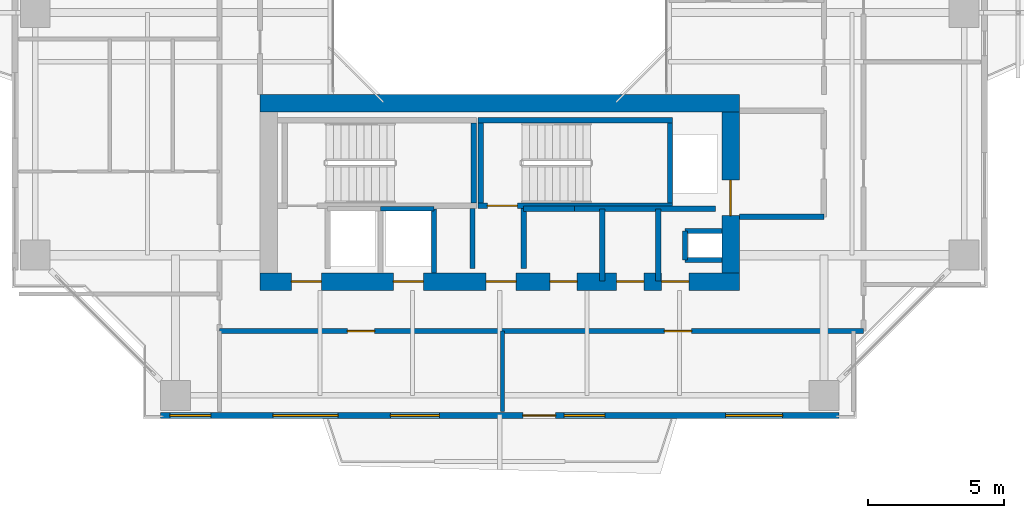
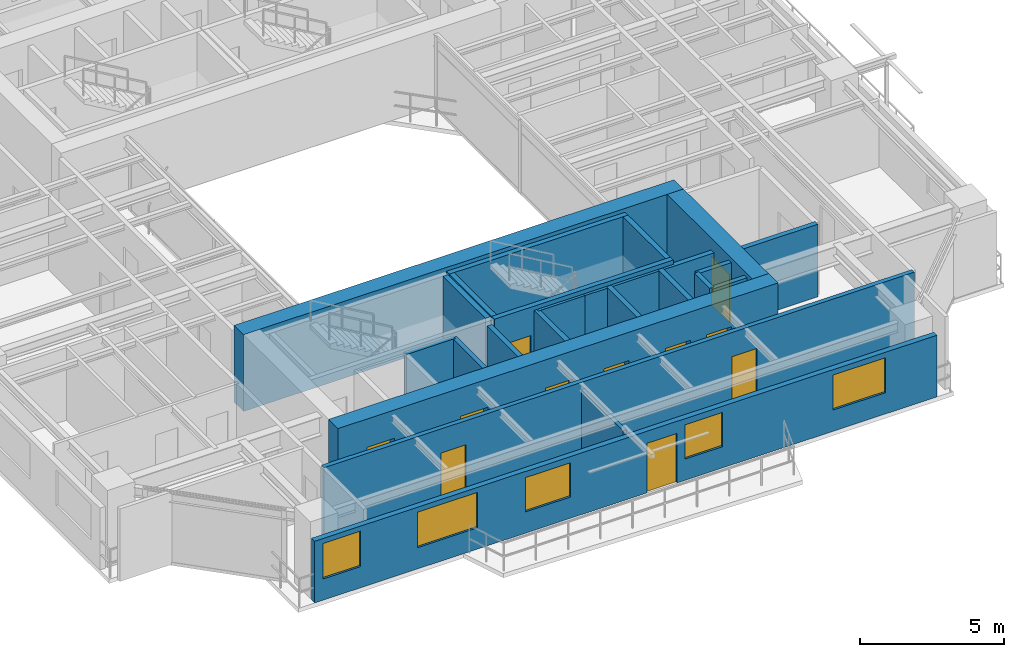
# One storey, part 10 of 17: 23 walls, 11 doors, 5 windows, 16 openings.
"""IFC4 building model written with IfcOpenShell, lengths in metres."""

import ifcopenshell
import ifcopenshell.guid

model = None  # the IFC model being written
_history = None  # IfcOwnerHistory: only IFC2X3 demands one
_inside = {}  # id of a spatial element -> (the spatial element, [elements in it])
_under = {}  # id of a project, library or spatial element -> (it, [spatial elements below it])
_declared = {}  # id of a project -> (the project, [libraries it declares])
_typed = {}  # id of a type object -> (the type object, [elements of that type])
_made_of = {}  # id of a material, layer set ... -> (it, [elements and type objects made of it])


def new_model(schema):
    """Start an empty IFC model of exactly this schema.

    Asked for "IFC4X3", IfcOpenShell would pick the latest addendum, in which some entities
    have other attributes; the version numbers below select the first issue.
    IFC2X3 requires an IfcOwnerHistory on every rooted entity: one is made here for all.
    """
    global model, _history
    if schema == "IFC4X3":
        model = ifcopenshell.file(schema_version=(4, 3, 0, 0))
    else:
        model = ifcopenshell.file(schema=schema)
    _inside.clear()
    _under.clear()
    _declared.clear()
    _typed.clear()
    _made_of.clear()
    _history = None
    if model.schema == "IFC2X3":
        org = make("IfcOrganization", Name="unknown")
        user = make(
            "IfcPersonAndOrganization",
            ThePerson=make("IfcPerson", FamilyName="unknown"),
            TheOrganization=org,
        )
        app = make(
            "IfcApplication",
            ApplicationDeveloper=org,
            Version="unknown",
            ApplicationFullName="unknown",
            ApplicationIdentifier="unknown",
        )
        _history = make(
            "IfcOwnerHistory",
            OwningUser=user,
            OwningApplication=app,
            ChangeAction="ADDED",
            CreationDate=0,
        )
    return model


def make(cls, **values):
    """One entity of the class cls with the attributes given. An attribute that is None is left unset."""
    return model.create_entity(
        cls, **{name: value for name, value in values.items() if value is not None}
    )


def rooted(cls, **values):
    """An entity with a GlobalId (a new one), such as an element, a storey or a relation."""
    return make(cls, GlobalId=ifcopenshell.guid.new(), OwnerHistory=_history, **values)


def si_unit(unit_type, name, prefix=None):
    """IfcSIUnit, for example si_unit("LENGTHUNIT", "METRE", prefix="MILLI")."""
    return make("IfcSIUnit", UnitType=unit_type, Prefix=prefix, Name=name)


def assignment(units):
    """IfcUnitAssignment: the units of a project."""
    return None if units is None else make("IfcUnitAssignment", Units=units)


def point(xyz):
    """IfcCartesianPoint."""
    return None if xyz is None else make("IfcCartesianPoint", Coordinates=xyz)


def direction(xyz):
    """IfcDirection."""
    return None if xyz is None else make("IfcDirection", DirectionRatios=xyz)


def frame(location, z_axis=None, x_axis=None):
    """IfcAxis2Placement3D, a coordinate frame: its origin and axes. An axis left out is left unset."""
    return make(
        "IfcAxis2Placement3D",
        Location=point(location),
        Axis=direction(z_axis),
        RefDirection=direction(x_axis),
    )


def frame_2d(location, x_axis=None):
    """IfcAxis2Placement2D, a coordinate frame in the plane: its origin and x axis."""
    return make(
        "IfcAxis2Placement2D", Location=point(location), RefDirection=direction(x_axis)
    )


def origin():
    """The frame at (0, 0, 0) with its axes left unset."""
    return frame((0.0, 0.0, 0.0))


def place(relative_to, where):
    """IfcLocalPlacement: puts the frame where relative to a parent placement (None: the world)."""
    return make(
        "IfcLocalPlacement", PlacementRelTo=relative_to, RelativePlacement=where
    )


def context(
    kind, dimensions, precision=None, world=None, true_north=None, identifier=None
):
    """IfcGeometricRepresentationContext, for example the 3D "Model" context."""
    return make(
        "IfcGeometricRepresentationContext",
        ContextIdentifier=identifier,
        ContextType=kind,
        CoordinateSpaceDimension=dimensions,
        Precision=precision,
        WorldCoordinateSystem=world,
        TrueNorth=true_north,
    )


def subcontext(parent, identifier, kind, view, scale=None):
    """IfcGeometricRepresentationSubContext, for example "Body" below "Model"."""
    return make(
        "IfcGeometricRepresentationSubContext",
        ContextIdentifier=identifier,
        ContextType=kind,
        ParentContext=parent,
        TargetScale=scale,
        TargetView=view,
    )


def project(units=None, contexts=None):
    """IfcProject with its units and contexts."""
    return rooted(
        "IfcProject",
        Name="project",
        RepresentationContexts=contexts,
        UnitsInContext=assignment(units),
    )


def spatial(cls, under=None, at=None, **own):
    """A site, building, storey or space (cls), placed at a placement, below another one or the project."""
    s = rooted(cls, ObjectPlacement=at, **own)
    if under is not None:
        _under.setdefault(under.id(), (under, []))[1].append(s)
    return s


def profile(cls, at=None, kind="AREA", **sizes):
    """A parametric profile (cls). Its sizes go by their IFC names, for example OverallWidth=200.0."""
    return make(cls, ProfileType=kind, Position=at, **sizes)


def rectangle(**sizes):
    """IfcRectangleProfileDef."""
    return profile("IfcRectangleProfileDef", **sizes)


def extrude(swept, where, along, depth):
    """IfcExtrudedAreaSolid: the profile swept, set in the frame where, extruded along a direction by depth."""
    return make(
        "IfcExtrudedAreaSolid",
        SweptArea=swept,
        Position=where,
        ExtrudedDirection=direction(along),
        Depth=depth,
    )


def shape(context_of_items, identifier, shape_type, items):
    """IfcShapeRepresentation: the items that make up one representation, for example the "Body"."""
    return make(
        "IfcShapeRepresentation",
        ContextOfItems=context_of_items,
        RepresentationIdentifier=identifier,
        RepresentationType=shape_type,
        Items=items,
    )


def source(mapping_origin, context_of_items, identifier, shape_type, items):
    """IfcRepresentationMap: a shape defined once, which mapped items show again and again."""
    return make(
        "IfcRepresentationMap",
        MappingOrigin=mapping_origin,
        MappedRepresentation=shape(context_of_items, identifier, shape_type, items),
    )


def transform(
    local_origin,
    x_axis=None,
    y_axis=None,
    z_axis=None,
    scale=None,
    scale2=None,
    scale3=None,
    uniform=True,
):
    """IfcCartesianTransformationOperator3D, or its non-uniform kind. x_axis, y_axis, z_axis: its Axis1, 2, 3."""
    if uniform:
        return make(
            "IfcCartesianTransformationOperator3D",
            Axis1=direction(x_axis),
            Axis2=direction(y_axis),
            LocalOrigin=point(local_origin),
            Scale=scale,
            Axis3=direction(z_axis),
        )
    return make(
        "IfcCartesianTransformationOperator3DnonUniform",
        Axis1=direction(x_axis),
        Axis2=direction(y_axis),
        LocalOrigin=point(local_origin),
        Scale=scale,
        Axis3=direction(z_axis),
        Scale2=scale2,
        Scale3=scale3,
    )


def mapped(mapping_source, mapping_target):
    """IfcMappedItem: shows the shape of a source again, moved by a transform."""
    return make(
        "IfcMappedItem", MappingSource=mapping_source, MappingTarget=mapping_target
    )


def material(Name=None, Category=None):
    """IfcMaterial."""
    return make("IfcMaterial", Name=Name, Category=Category)


def layer(
    of_material, thickness, ventilated=None, Name=None, Category=None, Priority=None
):
    """IfcMaterialLayer: one layer of a wall or slab, of a material (None: an air gap)."""
    return make(
        "IfcMaterialLayer",
        Material=of_material,
        LayerThickness=thickness,
        IsVentilated=ventilated,
        Name=Name,
        Category=Category,
        Priority=Priority,
    )


def layer_set(layers, Name=None):
    """IfcMaterialLayerSet."""
    return make("IfcMaterialLayerSet", MaterialLayers=layers, LayerSetName=Name)


def made_of(thing, what):
    """Note that an element or type object is made of a material, layer set ...; save() writes the relation."""
    if what is not None:
        _made_of.setdefault(what.id(), (what, []))[1].append(thing)
    return thing


def type_object(cls, material=None, **own):
    """A type object (cls), such as IfcWallType, which elements share."""
    return made_of(rooted(cls, **own), material)


def element(
    cls,
    number,
    at=None,
    inside=None,
    cuts=None,
    type_object=None,
    material=None,
    context=None,
    identifier="Body",
    shape_type=None,
    held_by="IfcProductDefinitionShape",
    body=None,
    shapes=None,
    **own,
):
    """One element of the class cls, such as IfcWall. Its Tag is "e" and its number.

    at: its placement. inside: the storey or other place that contains it. cuts: it is an
    opening in that element (IfcRelVoidsElement). A single representation is given by context,
    identifier, shape_type and body (its items); several are given by shapes. held_by: the class
    of the entity that holds the representations. save() writes the other relations.
    """
    e = rooted(cls, Tag="e%d" % number, ObjectPlacement=at, **own)
    if body is not None:
        shapes = [shape(context, identifier, shape_type, body)]
    if shapes is not None:
        e.Representation = make(held_by, Representations=shapes)
    if inside is not None:
        _inside.setdefault(inside.id(), (inside, []))[1].append(e)
    if cuts is not None:
        rooted(
            "IfcRelVoidsElement", RelatingBuildingElement=cuts, RelatedOpeningElement=e
        )
    if type_object is not None:
        _typed.setdefault(type_object.id(), (type_object, []))[1].append(e)
    return made_of(e, material)


def fill(opening, filler):
    """IfcRelFillsElement: the door or window that sits in an opening."""
    return rooted(
        "IfcRelFillsElement",
        RelatingOpeningElement=opening,
        RelatedBuildingElement=filler,
    )


def aggregate(whole, parts):
    """IfcRelAggregates: a whole, such as a stair, and the parts it consists of."""
    return rooted("IfcRelAggregates", RelatingObject=whole, RelatedObjects=parts)


def save(model, path):
    """Write the relations noted so far, then the file.

    IfcRelAggregates (storeys below a building ...), IfcRelContainedInSpatialStructure (elements
    in a storey), IfcRelDefinesByType, IfcRelAssociatesMaterial and IfcRelDeclares: one each for
    every whole, place, type object, material and project.
    """
    for whole, parts in _under.values():
        aggregate(whole, parts)
    for where, things in _inside.values():
        rooted(
            "IfcRelContainedInSpatialStructure",
            RelatedElements=things,
            RelatingStructure=where,
        )
    for kind, things in _typed.values():
        rooted("IfcRelDefinesByType", RelatedObjects=things, RelatingType=kind)
    for what, things in _made_of.values():
        rooted("IfcRelAssociatesMaterial", RelatedObjects=things, RelatingMaterial=what)
    for by, libraries in _declared.values():
        rooted("IfcRelDeclares", RelatingContext=by, RelatedDefinitions=libraries)
    model.write(path)


model = new_model("IFC4")

# Units and contexts
model_context = context("Model", 3, precision=1e-05, world=origin(), true_north=direction((0.0, 1.0)))
body_context = subcontext(model_context, "Body", "Model", "MODEL_VIEW")
ifc_project = project(units=[si_unit("LENGTHUNIT", "METRE"), si_unit("AREAUNIT", "SQUARE_METRE"), si_unit("VOLUMEUNIT", "CUBIC_METRE"), si_unit("PLANEANGLEUNIT", "RADIAN"), si_unit("MASSUNIT", "GRAM", prefix="KILO"), si_unit("THERMODYNAMICTEMPERATUREUNIT", "KELVIN"), si_unit("POWERUNIT", "WATT")], contexts=[model_context])

# Site, building, storey
site_placement = place(None, origin())
site = spatial("IfcSite", under=ifc_project, at=site_placement, CompositionType="ELEMENT")
building_placement = place(site_placement, origin())
building = spatial("IfcBuilding", under=site, at=building_placement, Name="Qiaomeng Ring Towers", CompositionType="ELEMENT")
storey_placement = place(building_placement, frame((0.0, 0.0, 129.5)))
storey = spatial("IfcBuildingStorey", under=building, at=storey_placement, Name="L37", CompositionType="ELEMENT", Elevation=129.5)

# Wall, openings, windows, door
ifc_material_1 = material(Name="Precast concrete C40", Category="concrete")
ifc_layer_1 = layer(ifc_material_1, 0.219970703125, Name="Precast concrete C40")
ifc_layer_set_1 = layer_set([ifc_layer_1], Name="Precast concrete C40")
wall_type_1 = type_object("IfcWallType", Name="ARC-WL-EW2", PredefinedType="STANDARD", material=ifc_layer_set_1)
wall_1_placement = place(storey_placement, frame((6.550048828125, 5.2099609375, 0.0), z_axis=(0.0, 0.0, 1.0), x_axis=(1.0, 0.0, 0.0)))
wall_1 = element("IfcWall", 1, at=wall_1_placement, inside=storey, type_object=wall_type_1, Name="L37 Tower 1 S Exterior Wall", PredefinedType="STANDARD", context=body_context, shape_type="SweptSolid", body=[
    extrude(rectangle(XDim=24.89990234375, YDim=0.219970703125, at=frame_2d((12.449951171875, 0.0))), origin(), (0.0, 0.0, 1.0), 2.610107421875),
])
opening_1_placement = place(wall_1_placement, frame((13.300048828125, 0.0, 0.0)))
opening_1 = element("IfcOpeningElement", 2, at=opening_1_placement, cuts=wall_1, Name="Opening BD1", PredefinedType="OPENING", context=body_context, shape_type="SweptSolid", body=[
    extrude(rectangle(XDim=1.199951171875, YDim=2.10009765625, at=frame_2d((0.60009765625, 1.050048828125))), frame((0.0, 0.119873046875, 0.0), z_axis=(0.0, -1.0, 0.0), x_axis=(1.0, 0.0, 0.0)), (0.0, 0.0, 1.0), 0.239990234375),
])
opening_2_placement = place(wall_1_placement, frame((0.342529296875, 0.0, 0.89990234375)))
opening_2 = element("IfcOpeningElement", 3, at=opening_2_placement, cuts=wall_1, Name="Opening WN2", PredefinedType="OPENING", context=body_context, shape_type="SweptSolid", body=[
    extrude(rectangle(XDim=1.5, YDim=1.5, at=frame_2d((0.75, 0.75))), frame((0.0, 0.119873046875, 0.0), z_axis=(0.0, -1.0, 0.0), x_axis=(1.0, 0.0, 0.0)), (0.0, 0.0, 1.0), 0.239990234375),
])
opening_3_placement = place(wall_1_placement, frame((8.43798828125, 0.0, 0.89990234375)))
opening_3 = element("IfcOpeningElement", 4, at=opening_3_placement, cuts=wall_1, Name="Opening WN1", PredefinedType="OPENING", context=body_context, shape_type="SweptSolid", body=[
    extrude(rectangle(XDim=1.800048828125, YDim=1.449951171875, at=frame_2d((0.89990234375, 0.72509765625))), frame((0.0, 0.119873046875, 0.0), z_axis=(0.0, -1.0, 0.0), x_axis=(1.0, 0.0, 0.0)), (0.0, 0.0, 1.0), 0.239990234375),
])
opening_4_placement = place(wall_1_placement, frame((14.81298828125, 0.0, 0.89990234375)))
opening_4 = element("IfcOpeningElement", 5, at=opening_4_placement, cuts=wall_1, Name="Opening WN2", PredefinedType="OPENING", context=body_context, shape_type="SweptSolid", body=[
    extrude(rectangle(XDim=1.5, YDim=1.449951171875, at=frame_2d((0.75, 0.72509765625))), frame((0.0, 0.119873046875, 0.0), z_axis=(0.0, -1.0, 0.0), x_axis=(1.0, 0.0, 0.0)), (0.0, 0.0, 1.0), 0.239990234375),
])
opening_5_placement = place(wall_1_placement, frame((20.738037109375, 0.0, 0.89990234375)))
opening_5 = element("IfcOpeningElement", 6, at=opening_5_placement, cuts=wall_1, Name="Opening WN4", PredefinedType="OPENING", context=body_context, shape_type="SweptSolid", body=[
    extrude(rectangle(XDim=2.10009765625, YDim=1.47998046875, at=frame_2d((1.050048828125, 0.739990234375))), frame((0.0, 0.119873046875, 0.0), z_axis=(0.0, -1.0, 0.0), x_axis=(1.0, 0.0, 0.0)), (0.0, 0.0, 1.0), 0.239990234375),
])
opening_6_placement = place(wall_1_placement, frame((4.12158203125, 0.0, 0.89990234375)))
opening_6 = element("IfcOpeningElement", 7, at=opening_6_placement, cuts=wall_1, Name="Opening WN6", PredefinedType="OPENING", context=body_context, shape_type="SweptSolid", body=[
    extrude(rectangle(XDim=2.39990234375, YDim=1.5, at=frame_2d((1.199951171875, 0.75))), frame((0.0, 0.119873046875, 0.0), z_axis=(0.0, -1.0, 0.0), x_axis=(1.0, 0.0, 0.0)), (0.0, 0.0, 1.0), 0.239990234375),
])
ifc_material_2 = material(Name="Low-E dark-grey laminated double glazing", Category="glass")
window_type_1 = type_object("IfcWindowType", Name="ARC-WN-2", PartitioningType="DOUBLE_PANEL_VERTICAL", PredefinedType="WINDOW", material=ifc_material_2)
shared_shape_1 = source(origin(), body_context, "Body", "SweptSolid", [
    extrude(rectangle(XDim=1.5, YDim=1.449951171875, at=frame_2d((0.75, 0.72509765625))), frame((0.0, 0.030029296875, 0.0), z_axis=(0.0, -1.0, 0.0), x_axis=(1.0, 0.0, 0.0)), (0.0, 0.0, 1.0), 0.06005859375),
])
window_1_placement = place(opening_4_placement, origin())
window_1 = element("IfcWindow", 8, at=window_1_placement, inside=storey, type_object=window_type_1, Name="L37 Exterior Window WN2", OverallHeight=1.449951171875, OverallWidth=1.5, PartitioningType="DOUBLE_PANEL_VERTICAL", PredefinedType="WINDOW", context=body_context, shape_type="MappedRepresentation", body=[
    mapped(shared_shape_1, transform((0.0, 0.0, 0.0), x_axis=(1.0, 0.0, 0.0), y_axis=(0.0, 1.0, 0.0), z_axis=(0.0, 0.0, 1.0), scale=1.0)),
])
fill(opening_4, window_1)
window_type_2 = type_object("IfcWindowType", Name="ARC-WN-4", PartitioningType="TRIPLE_PANEL_VERTICAL", PredefinedType="WINDOW", material=ifc_material_2)
shared_shape_2 = source(origin(), body_context, "Body", "SweptSolid", [
    extrude(rectangle(XDim=2.10009765625, YDim=1.47998046875, at=frame_2d((1.050048828125, 0.739990234375))), frame((0.0, 0.030029296875, 0.0), z_axis=(0.0, -1.0, 0.0), x_axis=(1.0, 0.0, 0.0)), (0.0, 0.0, 1.0), 0.06005859375),
])
window_2_placement = place(opening_5_placement, origin())
window_2 = element("IfcWindow", 9, at=window_2_placement, inside=storey, type_object=window_type_2, Name="L37 Exterior Window WN4", OverallHeight=1.47998046875, OverallWidth=2.10009765625, PartitioningType="TRIPLE_PANEL_VERTICAL", PredefinedType="WINDOW", context=body_context, shape_type="MappedRepresentation", body=[
    mapped(shared_shape_2, transform((0.0, 0.0, 0.0), x_axis=(1.0, 0.0, 0.0), y_axis=(0.0, 1.0, 0.0), z_axis=(0.0, 0.0, 1.0), scale=1.0)),
])
fill(opening_5, window_2)
window_type_3 = type_object("IfcWindowType", Name="ARC-WN-1", PartitioningType="DOUBLE_PANEL_VERTICAL", PredefinedType="WINDOW", material=ifc_material_2)
shared_shape_3 = source(origin(), body_context, "Body", "SweptSolid", [
    extrude(rectangle(XDim=1.800048828125, YDim=1.449951171875, at=frame_2d((0.89990234375, 0.72509765625))), frame((0.0, 0.030029296875, 0.0), z_axis=(0.0, -1.0, 0.0), x_axis=(1.0, 0.0, 0.0)), (0.0, 0.0, 1.0), 0.06005859375),
])
window_3_placement = place(opening_3_placement, origin())
window_3 = element("IfcWindow", 10, at=window_3_placement, inside=storey, type_object=window_type_3, Name="L37 Exterior Window WN1", OverallHeight=1.449951171875, OverallWidth=1.800048828125, PartitioningType="DOUBLE_PANEL_VERTICAL", PredefinedType="WINDOW", context=body_context, shape_type="MappedRepresentation", body=[
    mapped(shared_shape_3, transform((0.0, 0.0, 0.0), x_axis=(1.0, 0.0, 0.0), y_axis=(0.0, 1.0, 0.0), z_axis=(0.0, 0.0, 1.0), scale=1.0)),
])
fill(opening_3, window_3)
door_type_1 = type_object("IfcDoorType", Name="ARC-DR-BD1", OperationType="NOTDEFINED", PredefinedType="DOOR", material=ifc_material_2)
shared_shape_4 = source(origin(), body_context, "Body", "SweptSolid", [
    extrude(rectangle(XDim=1.199951171875, YDim=2.10009765625, at=frame_2d((0.60009765625, 1.050048828125))), frame((0.0, 0.02490234375, 0.0), z_axis=(0.0, -1.0, 0.0), x_axis=(1.0, 0.0, 0.0)), (0.0, 0.0, 1.0), 0.050048828125),
])
door_1_placement = place(opening_1_placement, frame((1.199951171875, 0.0, 0.0), z_axis=(0.0, 0.0, 1.0), x_axis=(-1.0, 0.0, 0.0)))
door_1 = element("IfcDoor", 11, at=door_1_placement, inside=storey, type_object=door_type_1, Name="L37 S Balcony Glazed Door", OperationType="SINGLE_SWING_LEFT", OverallHeight=2.10009765625, OverallWidth=1.199951171875, PredefinedType="DOOR", context=body_context, shape_type="MappedRepresentation", body=[
    mapped(shared_shape_4, transform((0.0, 0.0, 0.0), x_axis=(1.0, 0.0, 0.0), y_axis=(0.0, 1.0, 0.0), z_axis=(0.0, 0.0, 1.0), scale=1.0)),
])
fill(opening_1, door_1)
shared_shape_5 = source(origin(), body_context, "Body", "SweptSolid", [
    extrude(rectangle(XDim=1.5, YDim=1.5, at=frame_2d((0.75, 0.75))), frame((0.0, 0.030029296875, 0.0), z_axis=(0.0, -1.0, 0.0), x_axis=(1.0, 0.0, 0.0)), (0.0, 0.0, 1.0), 0.06005859375),
])
window_4_placement = place(opening_2_placement, origin())
window_4 = element("IfcWindow", 12, at=window_4_placement, inside=storey, type_object=window_type_1, Name="L37 Exterior Window WN6", OverallHeight=1.5, OverallWidth=1.5, PartitioningType="TRIPLE_PANEL_VERTICAL", PredefinedType="WINDOW", context=body_context, shape_type="MappedRepresentation", body=[
    mapped(shared_shape_5, transform((0.0, 0.0, 0.0), x_axis=(1.0, 0.0, 0.0), y_axis=(0.0, 1.0, 0.0), z_axis=(0.0, 0.0, 1.0), scale=1.0)),
])
fill(opening_2, window_4)
window_type_4 = type_object("IfcWindowType", Name="ARC-WN-6", PartitioningType="TRIPLE_PANEL_VERTICAL", PredefinedType="WINDOW", material=ifc_material_2)
shared_shape_6 = source(origin(), body_context, "Body", "SweptSolid", [
    extrude(rectangle(XDim=2.39990234375, YDim=1.5, at=frame_2d((1.199951171875, 0.75))), frame((0.0, 0.030029296875, 0.0), z_axis=(0.0, -1.0, 0.0), x_axis=(1.0, 0.0, 0.0)), (0.0, 0.0, 1.0), 0.06005859375),
])
window_5_placement = place(opening_6_placement, origin())
window_5 = element("IfcWindow", 13, at=window_5_placement, inside=storey, type_object=window_type_4, Name="L37 Exterior Window WN6", OverallHeight=1.5, OverallWidth=2.39990234375, PartitioningType="TRIPLE_PANEL_VERTICAL", PredefinedType="WINDOW", context=body_context, shape_type="MappedRepresentation", body=[
    mapped(shared_shape_6, transform((0.0, 0.0, 0.0), x_axis=(1.0, 0.0, 0.0), y_axis=(0.0, 1.0, 0.0), z_axis=(0.0, 0.0, 1.0), scale=1.0)),
])
fill(opening_6, window_5)

# Walls
ifc_material_3 = material(Name="Autoclaved aerated concrete block", Category="concrete")
ifc_layer_2 = layer(ifc_material_3, 0.199951171875, Name="Autoclaved aerated concrete block")
ifc_layer_set_2 = layer_set([ifc_layer_2], Name="Autoclaved aerated concrete block")
wall_type_2 = type_object("IfcWallType", Name="ARC-WL-PW1", PredefinedType="PARTITIONING", material=ifc_layer_set_2)
wall_2_placement = place(storey_placement, frame((27.800048828125, 12.5, 0.0), z_axis=(0.0, 0.0, 1.0), x_axis=(1.0, 0.0, 0.0)))
element("IfcWall", 14, at=wall_2_placement, inside=storey, type_object=wall_type_2, Name="L37 Interior Wall PW1", PredefinedType="PARTITIONING", context=body_context, shape_type="SweptSolid", body=[
    extrude(rectangle(XDim=3.099853515625, YDim=0.199951171875, at=frame_2d((1.5498046875, 0.0))), origin(), (0.0, 0.0, 1.0), 3.070068359375),
])
for number, where, z_axis, x_axis, name in (
    (15, (18.0, 10.60009765625, 0.0), (0.0, 0.0, 1.0), (0.0, 1.0, 0.0), "L37 Interior Wall PW1"),
    (16, (19.8798828125, 10.60009765625, 0.0), (0.0, 0.0, 1.0), (0.0, 1.0, 0.0), "L37 Interior Wall PW1"),
):
    element("IfcWall", number, at=place(storey_placement, frame(where, z_axis=z_axis, x_axis=x_axis)), inside=storey, type_object=wall_type_2, Name=name, PredefinedType="PARTITIONING", context=body_context, shape_type="SweptSolid", body=[
        extrude(rectangle(XDim=2.2099609375, YDim=0.199951171875, at=frame_2d((1.10498046875, 0.0))), origin(), (0.0, 0.0, 1.0), 3.070068359375),
    ])
wall_3_placement = place(storey_placement, frame((24.820068359375, 10.14990234375, 0.0), z_axis=(0.0, 0.0, 1.0), x_axis=(0.0, 1.0, 0.0)))
element("IfcWall", 17, at=wall_3_placement, inside=storey, type_object=wall_type_2, Name="L37 Interior Wall PW1", PredefinedType="PARTITIONING", context=body_context, shape_type="SweptSolid", body=[
    extrude(rectangle(XDim=2.650146484375, YDim=0.199951171875, at=frame_2d((1.3251953125, 0.0))), origin(), (0.0, 0.0, 1.0), 3.070068359375),
])
wall_4_placement = place(storey_placement, frame((19.8798828125, 12.800048828125, 0.0), z_axis=(0.0, 0.0, 1.0), x_axis=(1.0, 0.0, 0.0)))
element("IfcWall", 18, at=wall_4_placement, inside=storey, type_object=wall_type_2, Name="L37 Interior Wall PW1", PredefinedType="PARTITIONING", context=body_context, shape_type="SweptSolid", body=[
    extrude(rectangle(XDim=1.8701171875, YDim=0.199951171875, at=frame_2d((0.93505859375, 0.0))), origin(), (0.0, 0.0, 1.0), 3.070068359375),
])
wall_5_placement = place(storey_placement, frame((22.760009765625, 10.14990234375, 0.0), z_axis=(0.0, 0.0, 1.0), x_axis=(0.0, 1.0, 0.0)))
element("IfcWall", 19, at=wall_5_placement, inside=storey, type_object=wall_type_2, Name="L37 Interior Wall PW1", PredefinedType="PARTITIONING", context=body_context, shape_type="SweptSolid", body=[
    extrude(rectangle(XDim=2.650146484375, YDim=0.199951171875, at=frame_2d((1.3251953125, 0.0))), origin(), (0.0, 0.0, 1.0), 3.070068359375),
])
wall_6_placement = place(storey_placement, frame((21.75, 12.800048828125, 0.0), z_axis=(0.0, 0.0, 1.0), x_axis=(1.0, 0.0, 0.0)))
element("IfcWall", 20, at=wall_6_placement, inside=storey, type_object=wall_type_2, Name="L37 Interior Wall PW1", PredefinedType="PARTITIONING", context=body_context, shape_type="SweptSolid", body=[
    extrude(rectangle(XDim=5.169921875, YDim=0.199951171875, at=frame_2d((2.5849609375, 0.0))), origin(), (0.0, 0.0, 1.0), 3.070068359375),
])

# Wall, openings, doors
ifc_layer_3 = layer(ifc_material_3, 0.179931640625, Name="Autoclaved aerated concrete block")
ifc_layer_set_3 = layer_set([ifc_layer_3], Name="Autoclaved aerated concrete block")
wall_type_3 = type_object("IfcWallType", Name="ARC-WL-PW2", PredefinedType="PARTITIONING", material=ifc_layer_set_3)
wall_7_placement = place(storey_placement, frame((8.719970703125, 8.31005859375, 0.0), z_axis=(0.0, 0.0, 1.0), x_axis=(1.0, 0.0, 0.0)))
wall_7 = element("IfcWall", 21, at=wall_7_placement, inside=storey, type_object=wall_type_3, Name="L37 Interior Wall PW2", PredefinedType="PARTITIONING", context=body_context, shape_type="SweptSolid", body=[
    extrude(rectangle(XDim=23.630126953125, YDim=0.179931640625, at=frame_2d((11.81494140625, 0.0))), origin(), (0.0, 0.0, 1.0), 3.070068359375),
])
opening_7_placement = place(wall_7_placement, frame((4.68994140625, 0.0, 0.0)))
opening_7 = element("IfcOpeningElement", 22, at=opening_7_placement, cuts=wall_7, Name="Opening FD4", PredefinedType="OPENING", context=body_context, shape_type="SweptSolid", body=[
    extrude(rectangle(XDim=1.0, YDim=2.050048828125, at=frame_2d((0.5, 1.02490234375))), frame((0.0, 0.099853515625, 0.0), z_axis=(0.0, -1.0, 0.0), x_axis=(1.0, 0.0, 0.0)), (0.0, 0.0, 1.0), 0.199951171875),
])
opening_8_placement = place(wall_7_placement, frame((16.320068359375, 0.0, 0.0)))
opening_8 = element("IfcOpeningElement", 23, at=opening_8_placement, cuts=wall_7, Name="Opening FD4", PredefinedType="OPENING", context=body_context, shape_type="SweptSolid", body=[
    extrude(rectangle(XDim=1.0, YDim=2.050048828125, at=frame_2d((0.5, 1.02490234375))), frame((0.0, 0.099853515625, 0.0), z_axis=(0.0, -1.0, 0.0), x_axis=(1.0, 0.0, 0.0)), (0.0, 0.0, 1.0), 0.199951171875),
])
ifc_material_4 = material(Name="Engineered fire-rated oak timber", Category="wood")
door_type_2 = type_object("IfcDoorType", Name="ARC-DR-FD4", OperationType="NOTDEFINED", PredefinedType="DOOR", material=ifc_material_4)
shared_shape_7 = source(origin(), body_context, "Body", "SweptSolid", [
    extrude(rectangle(XDim=1.0, YDim=2.050048828125, at=frame_2d((0.5, 1.02490234375))), frame((0.0, 0.02490234375, 0.0), z_axis=(0.0, -1.0, 0.0), x_axis=(1.0, 0.0, 0.0)), (0.0, 0.0, 1.0), 0.050048828125),
])
door_2_placement = place(opening_7_placement, origin())
door_2 = element("IfcDoor", 24, at=door_2_placement, inside=storey, type_object=door_type_2, Name="L37 Door FD4", OperationType="SINGLE_SWING_LEFT", OverallHeight=2.050048828125, OverallWidth=1.0, PredefinedType="DOOR", context=body_context, shape_type="MappedRepresentation", body=[
    mapped(shared_shape_7, transform((0.0, 0.0, 0.0), x_axis=(1.0, 0.0, 0.0), y_axis=(0.0, 1.0, 0.0), z_axis=(0.0, 0.0, 1.0), scale=1.0)),
])
fill(opening_7, door_2)
door_3_placement = place(opening_8_placement, origin())
door_3 = element("IfcDoor", 25, at=door_3_placement, inside=storey, type_object=door_type_2, Name="L37 Door FD4", OperationType="SINGLE_SWING_RIGHT", OverallHeight=2.050048828125, OverallWidth=1.0, PredefinedType="DOOR", context=body_context, shape_type="MappedRepresentation", body=[
    mapped(shared_shape_7, transform((0.0, 0.0, 0.0), x_axis=(1.0, 0.0, 0.0), y_axis=(0.0, 1.0, 0.0), z_axis=(0.0, 0.0, 1.0), scale=1.0)),
])
fill(opening_8, door_3)

# Walls
ifc_material_5 = material(Name="Gypsum fireboard steel-stud partition", Category="steel")
ifc_layer_4 = layer(ifc_material_5, 0.14990234375, Name="Gypsum fireboard steel-stud partition")
ifc_layer_set_4 = layer_set([ifc_layer_4], Name="Gypsum fireboard steel-stud partition")
wall_type_4 = type_object("IfcWallType", Name="ARC-WL-PW3", PredefinedType="PARTITIONING", material=ifc_layer_set_4)
wall_8_placement = place(storey_placement, frame((19.10009765625, 5.35009765625, 0.0), z_axis=(0.0, 0.0, 1.0), x_axis=(0.0, 1.0, 0.0)))
element("IfcWall", 26, at=wall_8_placement, inside=storey, type_object=wall_type_4, Name="L37 Interior Wall PW3", PredefinedType="PARTITIONING", context=body_context, shape_type="SweptSolid", body=[
    extrude(rectangle(XDim=2.9599609375, YDim=0.14990234375, at=frame_2d((1.47998046875, 0.0))), origin(), (0.0, 0.0, 1.0), 2.764892578125),
])
ifc_material_6 = material(Name="Concrete C40", Category="concrete")
ifc_layer_5 = layer(ifc_material_6, 0.199951171875, Name="Concrete C40")
ifc_layer_set_5 = layer_set([ifc_layer_5], Name="Concrete C40")
wall_type_5 = type_object("IfcWallType", Name="STR-WL-STSHAFT", PredefinedType="SHEAR", material=ifc_layer_set_5)
wall_9_placement = place(storey_placement, frame((25.800048828125, 10.919921875, 0.0), z_axis=(0.0, 0.0, 1.0), x_axis=(0.0, 1.0, 0.0)))
element("IfcWall", 27, at=wall_9_placement, inside=storey, type_object=wall_type_5, Name="L37 Riser RSR1 West Shaft Wall S", PredefinedType="SHEAR", context=body_context, shape_type="SweptSolid", body=[
    extrude(rectangle(XDim=1.06005859375, YDim=0.179931640625, at=frame_2d((0.530029296875, 0.0))), origin(), (0.0, 0.0, 1.0), 3.070068359375),
])
for number, where, z_axis, x_axis, name in (
    (28, (25.800048828125, 11.97998046875, 0.0), (0.0, 0.0, 1.0), (1.0, 0.0, 0.0), "L37 Riser RSR1 North Shaft Wall S"),
    (29, (25.800048828125, 10.919921875, 0.0), (0.0, 0.0, 1.0), (1.0, 0.0, 0.0), "L37 Riser RSR1 South Shaft Wall S"),
):
    element("IfcWall", number, at=place(storey_placement, frame(where, z_axis=z_axis, x_axis=x_axis)), inside=storey, type_object=wall_type_5, Name=name, PredefinedType="SHEAR", context=body_context, shape_type="SweptSolid", body=[
        extrude(rectangle(XDim=1.349853515625, YDim=0.179931640625, at=frame_2d((0.6748046875, 0.0))), origin(), (0.0, 0.0, 1.0), 3.070068359375),
    ])
wall_10_placement = place(storey_placement, frame((14.6201171875, 12.800048828125, 0.0), z_axis=(0.0, 0.0, 1.0), x_axis=(1.0, 0.0, 0.0)))
element("IfcWall", 30, at=wall_10_placement, inside=storey, type_object=wall_type_5, Name="L37 Lift LP4 Shaft Back Wall", PredefinedType="SHEAR", context=body_context, shape_type="SweptSolid", body=[
    extrude(rectangle(XDim=1.9599609375, YDim=0.179931640625, at=frame_2d((0.97998046875, 0.0))), origin(), (0.0, 0.0, 1.0), 3.070068359375),
])
wall_11_placement = place(storey_placement, frame((16.580078125, 10.449951171875, 0.0), z_axis=(0.0, 0.0, 1.0), x_axis=(0.0, 1.0, 0.0)))
element("IfcWall", 31, at=wall_11_placement, inside=storey, type_object=wall_type_5, Name="L37 Lift LP4 East Shaft Wall", PredefinedType="SHEAR", context=body_context, shape_type="SweptSolid", body=[
    extrude(rectangle(XDim=2.35009765625, YDim=0.179931640625, at=frame_2d((1.175048828125, 0.0))), origin(), (0.0, 0.0, 1.0), 3.070068359375),
])
wall_12_placement = place(storey_placement, frame((18.050048828125, 13.010009765625, 0.0), z_axis=(0.0, 0.0, 1.0), x_axis=(0.0, 1.0, 0.0)))
element("IfcWall", 32, at=wall_12_placement, inside=storey, type_object=wall_type_5, Name="L37 Stair ST3 East Shaft Shear Wall", PredefinedType="SHEAR", context=body_context, shape_type="SweptSolid", body=[
    extrude(rectangle(XDim=2.93994140625, YDim=0.199951171875, at=frame_2d((1.469970703125, 0.0))), origin(), (0.0, 0.0, 1.0), 3.25),
])

# Wall, opening, door
wall_13_placement = place(storey_placement, frame((18.199951171875, 12.909912109375, 0.0), z_axis=(0.0, 0.0, 1.0), x_axis=(1.0, 0.0, 0.0)))
wall_13 = element("IfcWall", 33, at=wall_13_placement, inside=storey, type_object=wall_type_5, Name="L37 Stair ST4 South Shaft Shear Wall", PredefinedType="SHEAR", context=body_context, shape_type="SweptSolid", body=[
    extrude(rectangle(XDim=7.150146484375, YDim=0.199951171875, at=frame_2d((3.5751953125, 0.0))), origin(), (0.0, 0.0, 1.0), 3.25),
])
opening_9_placement = place(wall_13_placement, frame((0.35009765625, 0.0, 0.0)))
opening_9 = element("IfcOpeningElement", 34, at=opening_9_placement, cuts=wall_13, Name="Opening FD3", PredefinedType="OPENING", context=body_context, shape_type="SweptSolid", body=[
    extrude(rectangle(XDim=1.10009765625, YDim=2.050048828125, at=frame_2d((0.550048828125, 1.02490234375))), frame((0.0, 0.10986328125, 0.0), z_axis=(0.0, -1.0, 0.0), x_axis=(1.0, 0.0, 0.0)), (0.0, 0.0, 1.0), 0.219970703125),
])
ifc_material_7 = material(Name="Galvanised steel", Category="steel")
door_type_3 = type_object("IfcDoorType", Name="ARC-DR-FD3", OperationType="NOTDEFINED", PredefinedType="DOOR", material=ifc_material_7)
shared_shape_8 = source(origin(), body_context, "Body", "SweptSolid", [
    extrude(rectangle(XDim=1.10009765625, YDim=2.050048828125, at=frame_2d((0.550048828125, 1.02490234375))), frame((0.0, 0.02490234375, 0.0), z_axis=(0.0, -1.0, 0.0), x_axis=(1.0, 0.0, 0.0)), (0.0, 0.0, 1.0), 0.050048828125),
])
door_4_placement = place(opening_9_placement, frame((1.10009765625, 0.0, 0.0), z_axis=(0.0, 0.0, 1.0), x_axis=(-1.0, 0.0, 0.0)))
door_4 = element("IfcDoor", 35, at=door_4_placement, inside=storey, type_object=door_type_3, Name="L37 Stair ST4 Exit Door", OperationType="SINGLE_SWING_RIGHT", OverallHeight=2.050048828125, OverallWidth=1.10009765625, PredefinedType="DOOR", context=body_context, shape_type="MappedRepresentation", body=[
    mapped(shared_shape_8, transform((0.0, 0.0, 0.0), x_axis=(1.0, 0.0, 0.0), y_axis=(0.0, 1.0, 0.0), z_axis=(0.0, 0.0, 1.0), scale=1.0)),
])
fill(opening_9, door_4)

# Walls
wall_14_placement = place(storey_placement, frame((18.199951171875, 16.050048828125, 0.0), z_axis=(0.0, 0.0, 1.0), x_axis=(1.0, 0.0, 0.0)))
element("IfcWall", 36, at=wall_14_placement, inside=storey, type_object=wall_type_5, Name="L37 Stair ST4 North Shaft Shear Wall", PredefinedType="SHEAR", context=body_context, shape_type="SweptSolid", body=[
    extrude(rectangle(XDim=7.150146484375, YDim=0.199951171875, at=frame_2d((3.5751953125, 0.0))), origin(), (0.0, 0.0, 1.0), 3.25),
])
for number, where, z_axis, x_axis, name in (
    (37, (18.300048828125, 13.010009765625, 0.0), (0.0, 0.0, 1.0), (0.0, 1.0, 0.0), "L37 Stair ST4 West Shaft Shear Wall"),
    (38, (25.25, 13.010009765625, 0.0), (0.0, 0.0, 1.0), (0.0, 1.0, 0.0), "L37 Stair ST4 East Shaft Shear Wall"),
):
    element("IfcWall", number, at=place(storey_placement, frame(where, z_axis=z_axis, x_axis=x_axis)), inside=storey, type_object=wall_type_5, Name=name, PredefinedType="SHEAR", context=body_context, shape_type="SweptSolid", body=[
        extrude(rectangle(XDim=2.93994140625, YDim=0.199951171875, at=frame_2d((1.469970703125, 0.0))), origin(), (0.0, 0.0, 1.0), 3.25),
    ])

# Wall, openings, doors
ifc_material_8 = material(Name="Concrete C55", Category="concrete")
ifc_layer_6 = layer(ifc_material_8, 0.64990234375, Name="Concrete C55")
ifc_layer_set_6 = layer_set([ifc_layer_6], Name="Concrete C55")
wall_type_6 = type_object("IfcWallType", Name="STR-WL-SW2A", PredefinedType="SHEAR", material=ifc_layer_set_6)
wall_15_placement = place(storey_placement, frame((10.199951171875, 10.125, 0.0), z_axis=(0.0, 0.0, 1.0), x_axis=(1.0, 0.0, 0.0)))
wall_15 = element("IfcWall", 39, at=wall_15_placement, inside=storey, type_object=wall_type_6, Name="L37 T1SC south core shear wall", PredefinedType="SHEAR", context=body_context, shape_type="SweptSolid", body=[
    extrude(rectangle(XDim=17.60009765625, YDim=0.64990234375, at=frame_2d((8.800048828125, 0.0))), origin(), (0.0, 0.0, 1.0), 3.25),
])
opening_10_placement = place(wall_15_placement, frame((1.14990234375, 0.0, 0.0)))
opening_10 = element("IfcOpeningElement", 40, at=opening_10_placement, cuts=wall_15, Name="Opening FD3", PredefinedType="OPENING", context=body_context, shape_type="SweptSolid", body=[
    extrude(rectangle(XDim=1.10009765625, YDim=2.050048828125, at=frame_2d((0.550048828125, 1.02490234375))), frame((0.0, 0.3349609375, 0.0), z_axis=(0.0, -1.0, 0.0), x_axis=(1.0, 0.0, 0.0)), (0.0, 0.0, 1.0), 0.669921875),
])
opening_11_placement = place(wall_15_placement, frame((8.300048828125, 0.0, 0.0)))
opening_11 = element("IfcOpeningElement", 41, at=opening_11_placement, cuts=wall_15, Name="Opening FD3", PredefinedType="OPENING", context=body_context, shape_type="SweptSolid", body=[
    extrude(rectangle(XDim=1.10009765625, YDim=2.050048828125, at=frame_2d((0.550048828125, 1.02490234375))), frame((0.0, 0.3349609375, 0.0), z_axis=(0.0, -1.0, 0.0), x_axis=(1.0, 0.0, 0.0)), (0.0, 0.0, 1.0), 0.669921875),
])
opening_12_placement = place(wall_15_placement, frame((4.89990234375, 0.0, 0.0)))
opening_12 = element("IfcOpeningElement", 42, at=opening_12_placement, cuts=wall_15, Name="Opening LD1", PredefinedType="OPENING", context=body_context, shape_type="SweptSolid", body=[
    extrude(rectangle(XDim=1.10009765625, YDim=2.050048828125, at=frame_2d((0.550048828125, 1.02490234375))), frame((0.0, 0.3349609375, 0.0), z_axis=(0.0, -1.0, 0.0), x_axis=(1.0, 0.0, 0.0)), (0.0, 0.0, 1.0), 0.669921875),
])
opening_13_placement = place(wall_15_placement, frame((14.739990234375, 0.0, 0.0)))
opening_13 = element("IfcOpeningElement", 43, at=opening_13_placement, cuts=wall_15, Name="Opening FD1", PredefinedType="OPENING", context=body_context, shape_type="SweptSolid", body=[
    extrude(rectangle(XDim=1.0, YDim=2.050048828125, at=frame_2d((0.5, 1.02490234375))), frame((0.0, 0.3349609375, 0.0), z_axis=(0.0, -1.0, 0.0), x_axis=(1.0, 0.0, 0.0)), (0.0, 0.0, 1.0), 0.669921875),
])
opening_14_placement = place(wall_15_placement, frame((10.639892578125, 0.0, 0.0)))
opening_14 = element("IfcOpeningElement", 44, at=opening_14_placement, cuts=wall_15, Name="Opening FD1", PredefinedType="OPENING", context=body_context, shape_type="SweptSolid", body=[
    extrude(rectangle(XDim=1.0, YDim=2.050048828125, at=frame_2d((0.5, 1.02490234375))), frame((0.0, 0.3349609375, 0.0), z_axis=(0.0, -1.0, 0.0), x_axis=(1.0, 0.0, 0.0)), (0.0, 0.0, 1.0), 0.669921875),
])
opening_15_placement = place(wall_15_placement, frame((13.090087890625, 0.0, 0.0)))
opening_15 = element("IfcOpeningElement", 45, at=opening_15_placement, cuts=wall_15, Name="Opening FD1", PredefinedType="OPENING", context=body_context, shape_type="SweptSolid", body=[
    extrude(rectangle(XDim=1.0, YDim=2.050048828125, at=frame_2d((0.5, 1.02490234375))), frame((0.0, 0.3349609375, 0.0), z_axis=(0.0, -1.0, 0.0), x_axis=(1.0, 0.0, 0.0)), (0.0, 0.0, 1.0), 0.669921875),
])
door_5_placement = place(opening_10_placement, origin())
door_5 = element("IfcDoor", 46, at=door_5_placement, inside=storey, type_object=door_type_3, Name="L37 Stair ST3 Lobby Door", OperationType="SINGLE_SWING_LEFT", OverallHeight=2.050048828125, OverallWidth=1.10009765625, PredefinedType="DOOR", context=body_context, shape_type="MappedRepresentation", body=[
    mapped(shared_shape_8, transform((0.0, 0.0, 0.0), x_axis=(1.0, 0.0, 0.0), y_axis=(0.0, 1.0, 0.0), z_axis=(0.0, 0.0, 1.0), scale=1.0)),
])
fill(opening_10, door_5)
door_6_placement = place(opening_11_placement, origin())
door_6 = element("IfcDoor", 47, at=door_6_placement, inside=storey, type_object=door_type_3, Name="L37 Stair ST4 Lobby Door", OperationType="SINGLE_SWING_LEFT", OverallHeight=2.050048828125, OverallWidth=1.10009765625, PredefinedType="DOOR", context=body_context, shape_type="MappedRepresentation", body=[
    mapped(shared_shape_8, transform((0.0, 0.0, 0.0), x_axis=(1.0, 0.0, 0.0), y_axis=(0.0, 1.0, 0.0), z_axis=(0.0, 0.0, 1.0), scale=1.0)),
])
fill(opening_11, door_6)
ifc_material_9 = material(Name="Stainless steel 316", Category="steel")
door_type_4 = type_object("IfcDoorType", Name="ARC-DR-LD1", OperationType="NOTDEFINED", PredefinedType="DOOR", material=ifc_material_9)
door_7_placement = place(opening_12_placement, origin())
door_7 = element("IfcDoor", 48, at=door_7_placement, inside=storey, type_object=door_type_4, Name="L37 Mid-Zone Lift LP4 Landing Door", OperationType="SLIDING_TO_RIGHT", OverallHeight=2.050048828125, OverallWidth=1.10009765625, PredefinedType="DOOR", context=body_context, shape_type="MappedRepresentation", body=[
    mapped(shared_shape_8, transform((0.0, 0.0, 0.0), x_axis=(1.0, 0.0, 0.0), y_axis=(0.0, 1.0, 0.0), z_axis=(0.0, 0.0, 1.0), scale=1.0)),
])
fill(opening_12, door_7)
door_type_5 = type_object("IfcDoorType", Name="ARC-DR-FD1", OperationType="NOTDEFINED", PredefinedType="DOOR", material=ifc_material_7)
door_8_placement = place(opening_13_placement, origin())
door_8 = element("IfcDoor", 49, at=door_8_placement, inside=storey, type_object=door_type_5, Name="L37 South Electrical Riser Door", OperationType="SINGLE_SWING_RIGHT", OverallHeight=2.050048828125, OverallWidth=1.0, PredefinedType="DOOR", context=body_context, shape_type="MappedRepresentation", body=[
    mapped(shared_shape_7, transform((0.0, 0.0, 0.0), x_axis=(1.0, 0.0, 0.0), y_axis=(0.0, 1.0, 0.0), z_axis=(0.0, 0.0, 1.0), scale=1.0)),
])
fill(opening_13, door_8)
door_9_placement = place(opening_14_placement, origin())
door_9 = element("IfcDoor", 50, at=door_9_placement, inside=storey, type_object=door_type_5, Name="L37 South Telemetry Study Door", OperationType="SINGLE_SWING_LEFT", OverallHeight=2.050048828125, OverallWidth=1.0, PredefinedType="DOOR", context=body_context, shape_type="MappedRepresentation", body=[
    mapped(shared_shape_7, transform((0.0, 0.0, 0.0), x_axis=(1.0, 0.0, 0.0), y_axis=(0.0, 1.0, 0.0), z_axis=(0.0, 0.0, 1.0), scale=1.0)),
])
fill(opening_14, door_9)
door_10_placement = place(opening_15_placement, origin())
door_10 = element("IfcDoor", 51, at=door_10_placement, inside=storey, type_object=door_type_5, Name="L37 South Staff Pantry Door", OperationType="SINGLE_SWING_RIGHT", OverallHeight=2.050048828125, OverallWidth=1.0, PredefinedType="DOOR", context=body_context, shape_type="MappedRepresentation", body=[
    mapped(shared_shape_7, transform((0.0, 0.0, 0.0), x_axis=(1.0, 0.0, 0.0), y_axis=(0.0, 1.0, 0.0), z_axis=(0.0, 0.0, 1.0), scale=1.0)),
])
fill(opening_15, door_10)

# Wall
wall_16_placement = place(storey_placement, frame((10.199951171875, 16.675048828125, 0.0), z_axis=(0.0, 0.0, 1.0), x_axis=(1.0, 0.0, 0.0)))
element("IfcWall", 52, at=wall_16_placement, inside=storey, type_object=wall_type_6, Name="L37 T1SC north core shear wall", PredefinedType="SHEAR", context=body_context, shape_type="SweptSolid", body=[
    extrude(rectangle(XDim=17.60009765625, YDim=0.64990234375, at=frame_2d((8.800048828125, 0.0))), origin(), (0.0, 0.0, 1.0), 3.25),
])

# Wall, opening, door
wall_17_placement = place(storey_placement, frame((27.47509765625, 10.449951171875, 0.0), z_axis=(0.0, 0.0, 1.0), x_axis=(0.0, 1.0, 0.0)))
wall_17 = element("IfcWall", 53, at=wall_17_placement, inside=storey, type_object=wall_type_6, Name="L37 T1SC east core shear wall", PredefinedType="SHEAR", context=body_context, shape_type="SweptSolid", body=[
    extrude(rectangle(XDim=5.900146484375, YDim=0.64990234375, at=frame_2d((2.9501953125, 0.0))), origin(), (0.0, 0.0, 1.0), 3.25),
])
opening_16_placement = place(wall_17_placement, frame((2.10009765625, 0.0, 0.0)))
opening_16 = element("IfcOpeningElement", 54, at=opening_16_placement, cuts=wall_17, Name="Opening LD2", PredefinedType="OPENING", context=body_context, shape_type="SweptSolid", body=[
    extrude(rectangle(XDim=1.300048828125, YDim=2.050048828125, at=frame_2d((0.64990234375, 1.02490234375))), frame((0.0, 0.3349609375, 0.0), z_axis=(0.0, -1.0, 0.0), x_axis=(1.0, 0.0, 0.0)), (0.0, 0.0, 1.0), 0.669921875),
])
door_type_6 = type_object("IfcDoorType", Name="ARC-DR-LD2", OperationType="NOTDEFINED", PredefinedType="DOOR", material=ifc_material_9)
shared_shape_9 = source(origin(), body_context, "Body", "SweptSolid", [
    extrude(rectangle(XDim=1.300048828125, YDim=2.050048828125, at=frame_2d((0.64990234375, 1.02490234375))), frame((0.0, 0.02490234375, 0.0), z_axis=(0.0, -1.0, 0.0), x_axis=(1.0, 0.0, 0.0)), (0.0, 0.0, 1.0), 0.050048828125),
])
door_11_placement = place(opening_16_placement, origin())
door_11 = element("IfcDoor", 55, at=door_11_placement, inside=storey, type_object=door_type_6, Name="L37 Firefighting Lift FL2 Landing Door", OperationType="SLIDING_TO_RIGHT", OverallHeight=2.050048828125, OverallWidth=1.300048828125, PredefinedType="DOOR", context=body_context, shape_type="MappedRepresentation", body=[
    mapped(shared_shape_9, transform((0.0, 0.0, 0.0), x_axis=(1.0, 0.0, 0.0), y_axis=(0.0, 1.0, 0.0), z_axis=(0.0, 0.0, 1.0), scale=1.0)),
])
fill(opening_16, door_11)

save(model, "model.ifc")
